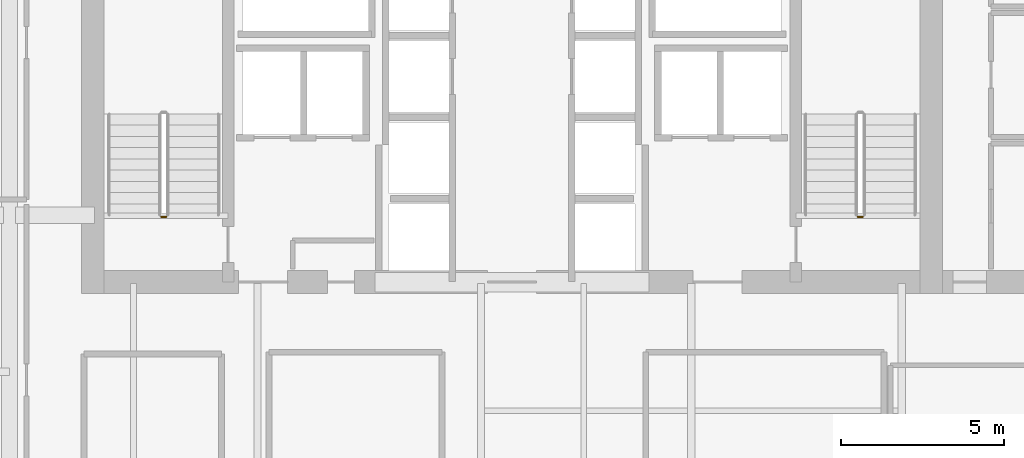
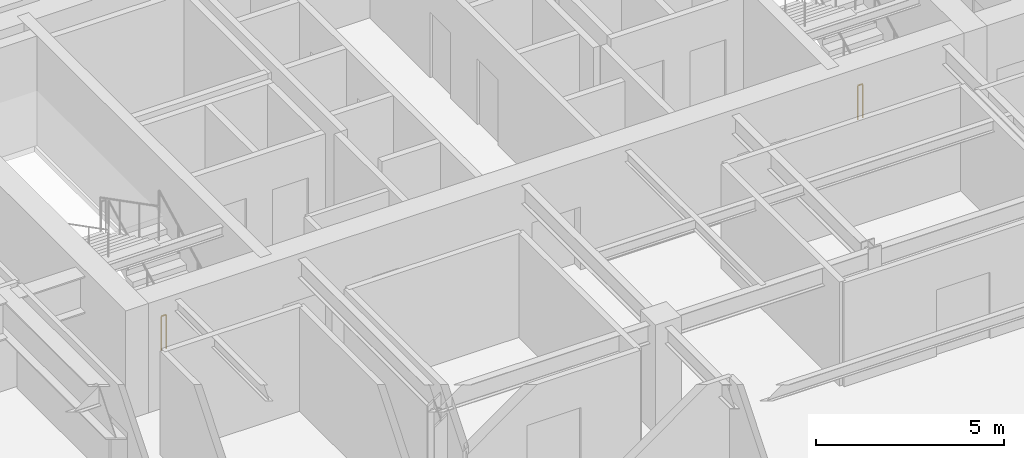
# One storey, part 25 of 28: 2 railings.
"""IFC4 building model written with IfcOpenShell, lengths in metres."""

from ifc_helpers import new_model, si_unit, direction, frame, origin, origin_2d, place, context, subcontext, project, spatial, circle, extrude, material, type_object, element, save


model = new_model("IFC4")

# Units and contexts
model_context = context("Model", 3, precision=1e-05, world=origin(), true_north=direction((0.0, 1.0)))
body_context = subcontext(model_context, "Body", "Model", "MODEL_VIEW")
ifc_project = project(units=[si_unit("LENGTHUNIT", "METRE"), si_unit("AREAUNIT", "SQUARE_METRE"), si_unit("VOLUMEUNIT", "CUBIC_METRE"), si_unit("PLANEANGLEUNIT", "RADIAN"), si_unit("MASSUNIT", "GRAM", prefix="KILO")], contexts=[model_context])

# Site, building, storey
site_placement = place(None, origin())
site = spatial("IfcSite", under=ifc_project, at=site_placement, CompositionType="ELEMENT")
building_placement = place(site_placement, origin())
building = spatial("IfcBuilding", under=site, at=building_placement, Name="Tolvann Quenvar Hotel", CompositionType="ELEMENT")
storey_placement = place(building_placement, frame((0.0, 0.0, 154.14990234375)))
storey = spatial("IfcBuildingStorey", under=building, at=storey_placement, Name="L40", CompositionType="ELEMENT", Elevation=154.14990234375)

# Railings
ifc_material = material(Name="Brushed 316 stainless steel balustrade and handrail", Category="steel")
railing_type = type_object("IfcRailingType", Name="GUARDRAIL", PredefinedType="GUARDRAIL", material=ifc_material)
for number, where, name in (
    (1, (12.39990234375, 33.949951171875, 0.0), "L40 ST-C1 stair guard 4"),
    (2, (33.75, 33.949951171875, 0.0), "L40 ST-C2 stair guard 4"),
):
    element("IfcRailing", number, at=place(storey_placement, frame(where)), inside=storey, type_object=railing_type, Name=name, PredefinedType="GUARDRAIL", context=body_context, shape_type="SweptSolid", body=[
        extrude(circle(Radius=0.02392578125, at=origin_2d()), frame((0.0, 0.0, 1.09619140625), z_axis=(-1.0, 0.0, 0.0), x_axis=(0.0, -1.0, 0.0)), (0.0, 0.0, 1.0), 0.14990234375),
        extrude(circle(Radius=0.02099609375, at=origin_2d()), origin(), (0.0, 0.0, 1.0), 1.072021484375),
        extrude(circle(Radius=0.02099609375, at=origin_2d()), frame((-0.14990234375, 0.0, 0.0)), (0.0, 0.0, 1.0), 1.072021484375),
    ])

save(model, "model.ifc")
